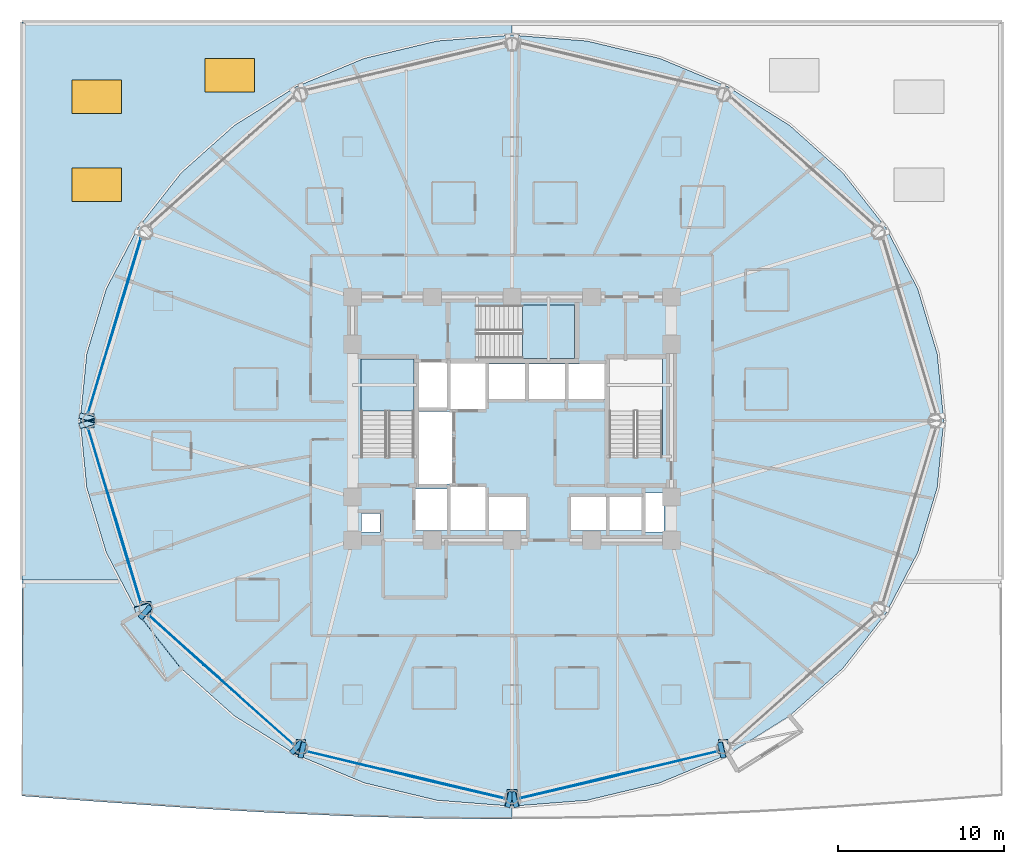
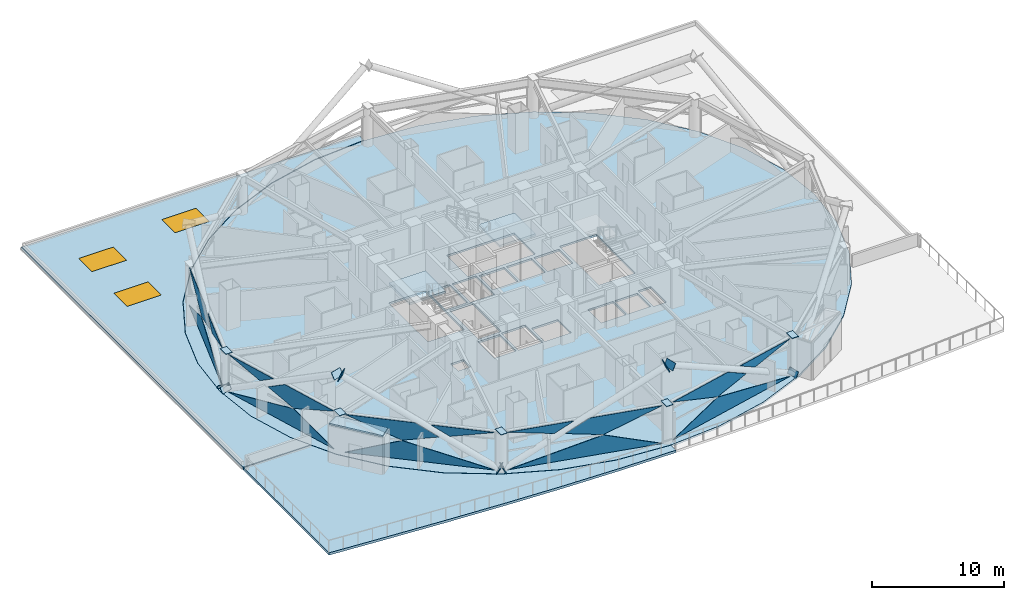
# One storey, part 17 of 27: 29 plates, 6 slabs, 3 windows, 3 openings, 7 elements without a shape of their own.
"""IFC4 building model written with IfcOpenShell, lengths in metres."""

from ifc_helpers import new_model, si_unit, direction, frame, origin, origin_2d, place, context, subcontext, project, spatial, polyline, rectangle, outline, extrude, material, layer, layer_set, type_object, element, fill, aggregate, save


model = new_model("IFC4")

# Units and contexts
model_context = context("Model", 3, precision=1e-05, world=origin(), true_north=direction((0.0, 1.0)))
body_context = subcontext(model_context, "Body", "Model", "MODEL_VIEW")
ifc_project = project(units=[si_unit("LENGTHUNIT", "METRE"), si_unit("AREAUNIT", "SQUARE_METRE"), si_unit("VOLUMEUNIT", "CUBIC_METRE"), si_unit("PLANEANGLEUNIT", "RADIAN"), si_unit("MASSUNIT", "GRAM", prefix="KILO")], contexts=[model_context])

# Site, building, storey
site_placement = place(None, origin())
site = spatial("IfcSite", under=ifc_project, at=site_placement, CompositionType="ELEMENT")
building_placement = place(site_placement, origin())
building = spatial("IfcBuilding", under=site, at=building_placement, Name="Vantalir Tower", CompositionType="ELEMENT")
storey_placement = place(building_placement, frame((0.0, 0.0, 27.0)))
storey = spatial("IfcBuildingStorey", under=building, at=storey_placement, Name="L05", CompositionType="ELEMENT", Elevation=27.0)

# Curtain wall, plates
ifc_material_1 = material(Name="Champagne-silver PVDF aluminium and double-silver Low-E glass", Category="aluminium")
ifc_layer_1 = layer(ifc_material_1, 0.18994140625)
ifc_layer_set_1 = layer_set([ifc_layer_1], Name="Champagne-silver PVDF aluminium and double-silver Low-E glass")
curtain_wall_type = type_object("IfcCurtainWallType", Name="CW-DIAMOND-Z1", PredefinedType="USERDEFINED", material=ifc_layer_set_1)
curtain_wall_1_placement = place(storey_placement, origin())
curtain_wall_1 = element("IfcCurtainWall", 1, at=curtain_wall_1_placement, inside=storey, type_object=curtain_wall_type, Name="L05 Quilted Pyramid-Diamond Curtain Wall S06", ObjectType="UNITISED CURTAIN WALL", PredefinedType="USERDEFINED")
ifc_material_2 = material(Name="Double-silver Low-E laminated glass IGU", Category="glass")
ifc_layer_2 = layer(ifc_material_2, 0.028076171875)
ifc_layer_set_2 = layer_set([ifc_layer_2], Name="Double-silver Low-E laminated glass IGU")
plate_type_1 = type_object("IfcPlateType", Name="CWP-IGU-28", PredefinedType="CURTAIN_PANEL", material=ifc_layer_set_2)
plate_1_placement = place(storey_placement, frame((9.1552734375, 35.962646484375, 0.046630859375), z_axis=(0.957578880535, -0.287846289434, 0.013682149448), x_axis=(-0.287872943892, -0.957668610574, -2.2270845e-05)))
plate_1 = element("IfcPlate", 2, at=plate_1_placement, type_object=plate_type_1, Name="CW-L05-S06 Pyramid Diamond Facet 1L", PredefinedType="CURTAIN_PANEL", context=body_context, shape_type="SweptSolid", body=[
    extrude(outline(polyline([(0.0, 0.0), (10.962342191971807, 4.960224939121183e-18), (4.17112620356803, -1.7265728701411234), (0.0, 0.0)])), origin(), (0.0, 0.0, -1.0), 0.028076171875),
])
plate_2_placement = place(storey_placement, frame((9.1552734375, 35.962646484375, 3.523193359375), z_axis=(-0.957579635004, 0.287842392017, 0.013711308631), x_axis=(-0.287868827182, -0.957669847112, 4.763173e-05)))
plate_2 = element("IfcPlate", 3, at=plate_2_placement, type_object=plate_type_1, Name="CW-L05-S06 Pyramid Diamond Facet 2U", PredefinedType="CURTAIN_PANEL", context=body_context, shape_type="SweptSolid", body=[
    extrude(outline(polyline([(0.0, 0.0), (5.135338671007989, -2.087089182034596e-18), (6.8695566841862865, -1.0407082443429356), (4.171082317327955, -1.726678888191401), (0.0, 0.0)])), origin(), (0.0, 0.0, -1.0), 0.028076171875),
])
plate_3_placement = place(storey_placement, frame((7.31640625, 29.955810546875, 3.52392578125), z_axis=(-0.957571538398, 0.287860848653, 0.013888148308), x_axis=(-0.287888614065, -0.957663900276, 0.0)))
plate_3 = element("IfcPlate", 4, at=plate_3_placement, type_object=plate_type_1, Name="CW-L05-S06 Pyramid Diamond Facet 2U Infill Light", PredefinedType="CURTAIN_PANEL", context=body_context, shape_type="SweptSolid", body=[
    extrude(outline(polyline([(0.0, 0.0), (4.680324415573924, 0.0), (1.392877010997467, -0.8357739655805069), (0.0, 0.0)])), origin(), (0.0, 0.0, -1.0), 0.028076171875),
])
aggregate(curtain_wall_1, [plate_1, plate_2, plate_3])

curtain_wall_2_placement = place(storey_placement, origin())
curtain_wall_2 = element("IfcCurtainWall", 5, at=curtain_wall_2_placement, inside=storey, type_object=curtain_wall_type, Name="L05 Quilted Pyramid-Diamond Curtain Wall S07", ObjectType="UNITISED CURTAIN WALL", PredefinedType="USERDEFINED")
plate_4_placement = place(storey_placement, frame((5.99951171875, 24.53564453125, 0.04638671875), z_axis=(0.957578880535, 0.287846289434, 0.013682149448), x_axis=(0.287872943892, -0.957668610574, 2.2270845e-05)))
plate_4 = element("IfcPlate", 6, at=plate_4_placement, type_object=plate_type_1, Name="CW-L05-S07 Pyramid Diamond Facet 1L", PredefinedType="CURTAIN_PANEL", context=body_context, shape_type="SweptSolid", body=[
    extrude(outline(polyline([(0.0, 0.0), (10.962342191971807, -4.960224939121183e-18), (6.791215988403775, -1.7265728701411234), (0.0, 0.0)])), origin(), (0.0, 0.0, -1.0), 0.028076171875),
])
plate_5_placement = place(storey_placement, frame((7.677001953125, 18.955322265625, 3.5234375), z_axis=(-0.957579635004, -0.287842392017, 0.013711308631), x_axis=(0.287868827182, -0.957669847112, -4.763173e-05)))
plate_5 = element("IfcPlate", 7, at=plate_5_placement, type_object=plate_type_1, Name="CW-L05-S07 Pyramid Diamond Facet 2U", PredefinedType="CURTAIN_PANEL", context=body_context, shape_type="SweptSolid", body=[
    extrude(outline(polyline([(0.0, 0.0), (5.135338671007989, 2.087089182034596e-18), (0.9642563536800345, -1.7266788881914013), (-1.7342180131782967, -1.0407082443429359), (0.0, 0.0)])), origin(), (0.0, 0.0, -1.0), 0.028076171875),
])
plate_6_placement = place(storey_placement, frame((5.968994140625, 24.5263671875, 3.52392578125), z_axis=(-0.957571538398, -0.287860848653, 0.013888148308), x_axis=(0.287888614065, -0.957663900276, 0.0)))
plate_6 = element("IfcPlate", 8, at=plate_6_placement, type_object=plate_type_1, Name="CW-L05-S07 Pyramid Diamond Facet 2U Infill Light", PredefinedType="CURTAIN_PANEL", context=body_context, shape_type="SweptSolid", body=[
    extrude(outline(polyline([(0.0, 0.0), (4.680324415573924, 0.0), (3.2874474045764575, -0.8357739655805069), (0.0, 0.0)])), origin(), (0.0, 0.0, -1.0), 0.028076171875),
])
aggregate(curtain_wall_2, [plate_4, plate_5, plate_6])

curtain_wall_3_placement = place(storey_placement, origin())
curtain_wall_3 = element("IfcCurtainWall", 9, at=curtain_wall_3_placement, inside=storey, type_object=curtain_wall_type, Name="L05 Quilted Pyramid-Diamond Curtain Wall S08", ObjectType="UNITISED CURTAIN WALL", PredefinedType="USERDEFINED")
plate_7_placement = place(storey_placement, frame((9.656982421875, 13.250244140625, 0.046630859375), z_axis=(0.665308885605, 0.746444198425, 0.013606813458), x_axis=(0.746513498737, -0.66537026967, -2.1043369e-05)))
plate_7 = element("IfcPlate", 10, at=plate_7_placement, type_object=plate_type_1, Name="CW-L05-S08 Pyramid Diamond Facet 1L", PredefinedType="CURTAIN_PANEL", context=body_context, shape_type="SweptSolid", body=[
    extrude(outline(polyline([(0.0, 0.0), (11.601784410505761, 9.920449878242366e-18), (4.410452310106066, -1.726815174474904), (0.0, 0.0)])), origin(), (0.0, 0.0, -1.0), 0.028076171875),
])
plate_8_placement = place(storey_placement, frame((9.656982421875, 13.250244140625, 3.5234375), z_axis=(-0.665300054197, -0.746451395068, 0.013643778309), x_axis=(0.746520882122, -0.665361986107, 4.2522e-08)))
plate_8 = element("IfcPlate", 11, at=plate_8_placement, type_object=plate_type_1, Name="CW-L05-S08 Pyramid Diamond Facet 2U", PredefinedType="CURTAIN_PANEL", context=body_context, shape_type="SweptSolid", body=[
    extrude(outline(polyline([(0.0, 0.0), (5.444511912943742, 0.0), (7.270924794630395, -1.039892024901801), (4.410488309346775, -1.7269673439427227), (0.0, 0.0)])), origin(), (0.0, 0.0, -1.0), 0.028076171875),
])
plate_9_placement = place(storey_placement, frame((14.590087890625, 8.810546875, 3.52392578125), z_axis=(-0.665314594483, -0.746437516961, 0.013693927117), x_axis=(0.74650796131, -0.665376480862, 4.9170594e-05)))
plate_9 = element("IfcPlate", 12, at=plate_9_placement, type_object=plate_type_1, Name="CW-L05-S08 Pyramid Diamond Facet 2U Infill Light", PredefinedType="CURTAIN_PANEL", context=body_context, shape_type="SweptSolid", body=[
    extrude(outline(polyline([(0.0, 0.0), (4.96517540448994, -2.0599841277224584e-18), (1.4727353693832141, -0.8387741118368344), (0.0, 0.0)])), origin(), (0.0, 0.0, -1.0), 0.028076171875),
])
aggregate(curtain_wall_3, [plate_7, plate_8, plate_9])

curtain_wall_4_placement = place(storey_placement, origin())
curtain_wall_4 = element("IfcCurtainWall", 13, at=curtain_wall_4_placement, inside=storey, type_object=curtain_wall_type, Name="L05 Quilted Pyramid-Diamond Curtain Wall S09", ObjectType="UNITISED CURTAIN WALL", PredefinedType="USERDEFINED")
plate_10_placement = place(storey_placement, frame((19.151611328125, 5.09521484375, 0.04638671875), z_axis=(0.232286508823, 0.972549752748, 0.013782461632), x_axis=(0.972642072645, -0.232308842109, 1.9993876e-05)))
plate_10 = element("IfcPlate", 14, at=plate_10_placement, type_object=plate_type_1, Name="CW-L05-S09 Pyramid Diamond Facet 1L", PredefinedType="CURTAIN_PANEL", context=body_context, shape_type="SweptSolid", body=[
    extrude(outline(polyline([(0.0, 0.0), (12.210770352635775, -5.963111948670274e-19), (7.564815878873884, -1.727063572655862), (0.0, 0.0)])), origin(), (0.0, 0.0, -1.0), 0.028076171875),
])
plate_11_placement = place(storey_placement, frame((25.4462890625, 3.591796875, 3.523681640625), z_axis=(-0.232308646803, -0.972544532934, 0.013777665997), x_axis=(0.972636716061, -0.232331265187, -4.2274794e-05)))
plate_11 = element("IfcPlate", 15, at=plate_11_placement, type_object=plate_type_1, Name="CW-L05-S09 Pyramid Diamond Facet 2U", PredefinedType="CURTAIN_PANEL", context=body_context, shape_type="SweptSolid", body=[
    extrude(outline(polyline([(0.0, 0.0), (5.7390446673520765, -3.2526065174565133e-18), (1.0931292319646315, -1.727412671648198), (-1.9152714694807467, -1.0404614050661767), (0.0, 0.0)])), origin(), (0.0, 0.0, -1.0), 0.028076171875),
])
plate_12_placement = place(storey_placement, frame((19.144287109375, 5.064208984375, 3.524169921875), z_axis=(-0.232286516402, -0.972548160926, 0.013894206598), x_axis=(0.972641897683, -0.232309570827, -4.6620424e-05)))
plate_12 = element("IfcPlate", 16, at=plate_12_placement, type_object=plate_type_1, Name="CW-L05-S09 Pyramid Diamond Facet 2U Infill Light", PredefinedType="CURTAIN_PANEL", context=body_context, shape_type="SweptSolid", body=[
    extrude(outline(polyline([(0.0, 0.0), (5.236774059915836, 9.75781955236954e-19), (3.6871237904550966, -0.8417062298265489), (0.0, 0.0)])), origin(), (0.0, 0.0, -1.0), 0.028076171875),
])
aggregate(curtain_wall_4, [plate_10, plate_11, plate_12])

curtain_wall_5_placement = place(storey_placement, origin())
curtain_wall_5 = element("IfcCurtainWall", 17, at=curtain_wall_5_placement, inside=storey, type_object=curtain_wall_type, Name="L05 Quilted Pyramid-Diamond Curtain Wall S10", ObjectType="UNITISED CURTAIN WALL", PredefinedType="USERDEFINED")
plate_13_placement = place(storey_placement, frame((31.9716796875, 2.258544921875, 0.046630859375), z_axis=(-0.232286508823, 0.972549752748, 0.013782461632), x_axis=(0.972642072645, 0.232308842109, -1.9993876e-05)))
plate_13 = element("IfcPlate", 18, at=plate_13_placement, type_object=plate_type_1, Name="CW-L05-S10 Pyramid Diamond Facet 1L", PredefinedType="CURTAIN_PANEL", context=body_context, shape_type="SweptSolid", body=[
    extrude(outline(polyline([(0.0, 0.0), (12.210770352635775, 5.963111948670274e-19), (4.645954473761892, -1.7270635726558619), (0.0, 0.0)])), origin(), (0.0, 0.0, -1.0), 0.028076171875),
])
plate_14_placement = place(storey_placement, frame((31.9716796875, 2.258544921875, 3.5234375), z_axis=(0.232308646803, -0.972544532934, 0.013777665997), x_axis=(0.972636716061, 0.232331265187, 4.2274794e-05)))
plate_14 = element("IfcPlate", 19, at=plate_14_placement, type_object=plate_type_1, Name="CW-L05-S10 Pyramid Diamond Facet 2U", PredefinedType="CURTAIN_PANEL", context=body_context, shape_type="SweptSolid", body=[
    extrude(outline(polyline([(0.0, 0.0), (5.7390446673520765, 3.2526065174565133e-18), (7.654316136832822, -1.040461405066177), (4.645915435387444, -1.727412671648198), (0.0, 0.0)])), origin(), (0.0, 0.0, -1.0), 0.028076171875),
])
plate_15_placement = place(storey_placement, frame((38.76220703125, 3.84765625, 3.52392578125), z_axis=(0.232286516402, -0.972548160926, 0.013894206598), x_axis=(0.972641897683, 0.232309570827, 4.6620424e-05)))
plate_15 = element("IfcPlate", 20, at=plate_15_placement, type_object=plate_type_1, Name="CW-L05-S10 Pyramid Diamond Facet 2U Infill Light", PredefinedType="CURTAIN_PANEL", context=body_context, shape_type="SweptSolid", body=[
    extrude(outline(polyline([(0.0, 0.0), (5.236774059915836, -9.75781955236954e-19), (1.5496502694607401, -0.8417062298265489), (0.0, 0.0)])), origin(), (0.0, 0.0, -1.0), 0.028076171875),
])
aggregate(curtain_wall_5, [plate_13, plate_14, plate_15])

# Plates
ifc_material_3 = material(Name="Steel S460", Category="steel")
ifc_layer_3 = layer(ifc_material_3, 0.0400390625)
ifc_layer_set_3 = layer_set([ifc_layer_3], Name="Steel S460")
plate_type_2 = type_object("IfcPlateType", Name="PLT-KN-Z1", PredefinedType="USERDEFINED", material=ifc_layer_set_3)
plate_16_placement = place(storey_placement, frame((5.50732421875, 24.523193359375, -0.068603515625), z_axis=(0.246946517309, -0.821171551533, 0.514484888545), x_axis=(0.957625698996, 0.28801565526, 5.4289726e-05)))
element("IfcPlate", 21, at=plate_16_placement, inside=storey, type_object=plate_type_2, Name="Node Cap Plate MEM-DG-L05-R19L Start", ObjectType="FLANGE_PLATE", PredefinedType="USERDEFINED", context=body_context, shape_type="SweptSolid", body=[
    extrude(outline(polyline([(0.0, 0.0), (0.9499460214858269, 0.0), (0.9500335617520865, 0.6200432057309483), (0.00015785658834470594, 0.6201634866255669), (0.0, 0.0)])), origin(), (0.0, 0.0, -1.0), 0.0400390625),
])
plate_17_placement = place(storey_placement, frame((8.839599609375, 13.43798828125, 6.87744140625), z_axis=(0.246831821712, -0.821266771081, 0.51438792998), x_axis=(0.957683979349, 0.287821811947, -1.6312792e-05)))
element("IfcPlate", 22, at=plate_17_placement, inside=storey, type_object=plate_type_2, Name="Node Cap Plate MEM-DG-L05-R19L End", ObjectType="FLANGE_PLATE", PredefinedType="USERDEFINED", context=body_context, shape_type="SweptSolid", body=[
    extrude(outline(polyline([(0.0, 0.0), (0.9501095264682091, 0.0), (0.9498611615437194, 0.620079361363619), (-1.4555359219141373e-05, 0.6200432191104704), (0.0, 0.0)])), origin(), (0.0, 0.0, -1.0), 0.0400390625),
])
plate_18_placement = place(storey_placement, frame((6.4169921875, 25.203125, -0.068603515625), z_axis=(0.246946517309, 0.821171551533, 0.514484888545), x_axis=(-0.957625698996, 0.28801565526, -5.4289726e-05)))
element("IfcPlate", 23, at=plate_18_placement, inside=storey, type_object=plate_type_2, Name="Node Cap Plate MEM-DG-L05-R19R Start", ObjectType="FLANGE_PLATE", PredefinedType="USERDEFINED", context=body_context, shape_type="SweptSolid", body=[
    extrude(outline(polyline([(0.0, 0.0), (0.9499460214858269, 0.0), (0.9497881648974823, 0.6201634866255669), (-8.754026625965204e-05, 0.6200432057309483), (0.0, 0.0)])), origin(), (0.0, 0.0, -1.0), 0.0400390625),
])
plate_19_placement = place(storey_placement, frame((18.908447265625, 4.6650390625, -0.08349609375), z_axis=(0.854627438222, -0.204117094889, 0.477439162), x_axis=(0.232303709897, 0.972643298629, 0.0)))
element("IfcPlate", 24, at=plate_19_placement, inside=storey, type_object=plate_type_2, Name="Node Cap Plate MEM-DG-L05-R25L Start", ObjectType="FLANGE_PLATE", PredefinedType="USERDEFINED", context=body_context, shape_type="SweptSolid", body=[
    extrude(outline(polyline([(0.0, 0.0), (0.9500628513325243, 0.0), (0.9501603455328829, 0.6198925105355855), (9.749420035846945e-05, 0.6198925105355855), (0.0, 0.0)])), origin(), (0.0, 0.0, -1.0), 0.0400390625),
])
plate_20_placement = place(storey_placement, frame((31.372802734375, 1.68798828125, 6.8779296875), z_axis=(0.854640010418, -0.204147065509, 0.477403841875), x_axis=(0.232326127317, 0.972637944154, 1.2522377e-05)))
element("IfcPlate", 25, at=plate_20_placement, inside=storey, type_object=plate_type_2, Name="Node Cap Plate MEM-DG-L05-R25L End", ObjectType="FLANGE_PLATE", PredefinedType="USERDEFINED", context=body_context, shape_type="SweptSolid", body=[
    extrude(outline(polyline([(0.0, 0.0), (0.9500628510056929, 0.0), (0.949922884116837, 0.6198654341842835), (9.749354672877903e-05, 0.619892510034778), (0.0, 0.0)])), origin(), (0.0, 0.0, -1.0), 0.0400390625),
])
plate_21_placement = place(storey_placement, frame((18.733642578125, 5.79638671875, -0.07666015625), z_axis=(-0.648679774777, 0.578217227371, 0.494852895078), x_axis=(-0.665415735381, -0.746472971886, -3.6773048e-05)))
element("IfcPlate", 26, at=plate_21_placement, inside=storey, type_object=plate_type_2, Name="Node Cap Plate MEM-DG-L05-R25R Start", ObjectType="FLANGE_PLATE", PredefinedType="USERDEFINED", context=body_context, shape_type="SweptSolid", body=[
    extrude(outline(polyline([(0.0, 0.0), (0.94983370343164, 5.551115123125783e-17), (0.9499696310599176, 0.6201009243701173), (-4.631674962413417e-05, 0.6200205272126428), (0.0, 0.0)])), origin(), (0.0, 0.0, -1.0), 0.0400390625),
])
plate_22_placement = place(storey_placement, frame((9.618408203125, 13.9208984375, 6.877685546875), z_axis=(-0.648699267764, 0.578135078913, 0.494923317831), x_axis=(-0.665336277327, -0.746543795147, 0.0)))
element("IfcPlate", 27, at=plate_22_placement, inside=storey, type_object=plate_type_2, Name="Node Cap Plate MEM-DG-L05-R25R End", ObjectType="FLANGE_PLATE", PredefinedType="USERDEFINED", context=body_context, shape_type="SweptSolid", body=[
    extrude(outline(polyline([(0.0, 0.0), (0.9500159538334854, 0.0), (0.9500221024199006, 0.6198083784179331), (6.148586415233304e-06, 0.6198083784179331), (0.0, 0.0)])), origin(), (0.0, 0.0, -1.0), 0.0400390625),
])
plate_23_placement = place(storey_placement, frame((43.870849609375, 5.589111328125, -0.08349609375), z_axis=(-0.854627438222, -0.204117094889, 0.477439162), x_axis=(0.232303709897, -0.972643298629, 0.0)))
element("IfcPlate", 28, at=plate_23_placement, inside=storey, type_object=plate_type_2, Name="Node Cap Plate MEM-DG-L05-R31R Start", ObjectType="FLANGE_PLATE", PredefinedType="USERDEFINED", context=body_context, shape_type="SweptSolid", body=[
    extrude(outline(polyline([(0.0, 0.0), (0.9500628513325243, 0.0), (0.9499653571321658, 0.6198925105355855), (-9.749420035846945e-05, 0.6198925105355855), (0.0, 0.0)])), origin(), (0.0, 0.0, -1.0), 0.0400390625),
])
plate_24_placement = place(storey_placement, frame((31.406494140625, 2.612060546875, 6.8779296875), z_axis=(-0.854640010418, -0.204147065509, 0.477403841875), x_axis=(0.232326127317, -0.972637944154, -1.2522377e-05)))
element("IfcPlate", 29, at=plate_24_placement, inside=storey, type_object=plate_type_2, Name="Node Cap Plate MEM-DG-L05-R31R End", ObjectType="FLANGE_PLATE", PredefinedType="USERDEFINED", context=body_context, shape_type="SweptSolid", body=[
    extrude(outline(polyline([(0.0, 0.0), (0.9500628510056929, 0.0), (0.949965357458964, 0.619892510034778), (0.00013996688885579818, 0.6198654341842835), (0.0, 0.0)])), origin(), (0.0, 0.0, -1.0), 0.0400390625),
])
ifc_layer_4 = layer(ifc_material_3, 0.035888671875)
ifc_layer_set_4 = layer_set([ifc_layer_4], Name="Steel S460")
plate_type_3 = type_object("IfcPlateType", Name="PLT-KN-Z2", PredefinedType="USERDEFINED", material=ifc_layer_set_4)
for number, where, z_axis, x_axis, name in (
    (30, (5.760009765625, 25.43994140625, 3.597900390625), (0.0, 0.0, 1.0), (0.0, -1.0, 0.0), "L05 Ring Column Top Cap RC07"),
    (31, (9.169921875, 14.10791015625, 3.597900390625), (0.0, 0.0, 1.0), (0.0, -1.0, 0.0), "L05 Ring Column Top Cap RC08"),
):
    element("IfcPlate", number, at=place(storey_placement, frame(where, z_axis=z_axis, x_axis=x_axis)), inside=storey, type_object=plate_type_3, Name=name, ObjectType="FLANGE_PLATE", PredefinedType="USERDEFINED", context=body_context, shape_type="SweptSolid", body=[
        extrude(outline(polyline([(0.0, 0.0), (0.8798828125, 0.0), (0.8798828125, 0.580078125), (0.0, 0.580078125), (0.0, 0.0)])), origin(), (0.0, 0.0, -1.0), 0.035888671875),
    ])
plate_25_placement = place(storey_placement, frame((18.485107421875, 5.81201171875, 3.597900390625), z_axis=(0.0, 0.0, 1.0), x_axis=(0.0, -1.0, 0.0)))
element("IfcPlate", 32, at=plate_25_placement, inside=storey, type_object=plate_type_3, Name="L05 Ring Column Top Cap RC09", ObjectType="FLANGE_PLATE", PredefinedType="USERDEFINED", context=body_context, shape_type="SweptSolid", body=[
    extrude(outline(polyline([(0.0, 0.0), (0.880126953125, 0.0), (0.880126953125, 0.579833984375), (0.0, 0.579833984375), (0.0, 0.0)])), origin(), (0.0, 0.0, -1.0), 0.035888671875),
])
plate_26_placement = place(storey_placement, frame((31.2099609375, 2.77587890625, 3.597900390625), z_axis=(0.0, 0.0, 1.0), x_axis=(0.0, -1.0, 0.0)))
element("IfcPlate", 33, at=plate_26_placement, inside=storey, type_object=plate_type_3, Name="L05 Ring Column Top Cap RC10", ObjectType="FLANGE_PLATE", PredefinedType="USERDEFINED", context=body_context, shape_type="SweptSolid", body=[
    extrude(outline(polyline([(0.0, 0.0), (0.8798828125, 0.0), (0.8798828125, 0.580078125), (0.0, 0.580078125), (0.0, 0.0)])), origin(), (0.0, 0.0, -1.0), 0.035888671875),
])
plate_27_placement = place(storey_placement, frame((43.93505859375, 5.81201171875, 3.597900390625), z_axis=(0.0, 0.0, 1.0), x_axis=(0.0, -1.0, 0.0)))
element("IfcPlate", 34, at=plate_27_placement, inside=storey, type_object=plate_type_3, Name="L05 Ring Column Top Cap RC11", ObjectType="FLANGE_PLATE", PredefinedType="USERDEFINED", context=body_context, shape_type="SweptSolid", body=[
    extrude(outline(polyline([(0.0, 0.0), (0.880126953125, 0.0), (0.880126953125, 0.579833984375), (0.0, 0.579833984375), (0.0, 0.0)])), origin(), (0.0, 0.0, -1.0), 0.035888671875),
])

# Slab
ifc_material_4 = material(Name="Champagne-silver aluminium and Concrete C40/50 canopy", Category="concrete")
ifc_layer_5 = layer(ifc_material_4, 0.14990234375)
ifc_layer_set_5 = layer_set([ifc_layer_5], Name="Champagne-silver aluminium and Concrete C40/50 canopy")
slab_type_1 = type_object("IfcSlabType", Name="SL-KAKILIMA-CANOPY-150", PredefinedType="ROOF", material=ifc_layer_set_5)
slab_1_placement = place(storey_placement, frame((0.0, 0.0, 3.419921875)))
element("IfcSlab", 35, at=slab_1_placement, inside=storey, type_object=slab_type_1, Name="L05 Podium Vestibule Canopy Cap SW", PredefinedType="ROOF", context=body_context, shape_type="SweptSolid", body=[
    extrude(outline(polyline([(11.56689453125, 10.06591796875), (8.966064453125, 13.382080078125), (8.966064453125, 13.383056640625), (7.987060546875, 12.818115234375), (10.701904296875, 9.339111328125), (11.56689453125, 10.06591796875)])), origin(), (0.0, 0.0, 1.0), 0.150146484375),
])

# Stair, slab
ifc_material_5 = material(Name="Concrete C40/50", Category="concrete")
stair_type = type_object("IfcStairType", Name="STR-CORE-1450", PredefinedType="HALF_TURN_STAIR", material=ifc_material_5)
stair_1_placement = place(storey_placement, origin())
stair_1 = element("IfcStair", 36, at=stair_1_placement, inside=storey, type_object=stair_type, Name="L05 Core Exit Stair 1", PredefinedType="HALF_TURN_STAIR")
ifc_layer_6 = layer(ifc_material_5, 0.199951171875)
ifc_layer_set_6 = layer_set([ifc_layer_6], Name="Concrete C40/50")
slab_type_2 = type_object("IfcSlabType", Name="SL-LAND-200", PredefinedType="LANDING", material=ifc_layer_set_6)
slab_2_placement = place(storey_placement, frame((0.0, 0.0, 1.675048828125)))
slab_2 = element("IfcSlab", 37, at=slab_2_placement, type_object=slab_type_2, Name="ST1 landing 1", PredefinedType="LANDING", context=body_context, shape_type="SweptSolid", body=[
    extrude(outline(polyline([(25.60009765625, 25.590087890625), (25.60009765625, 28.699951171875), (22.39990234375, 28.699951171875), (22.39990234375, 25.590087890625), (25.60009765625, 25.590087890625)])), origin(), (0.0, 0.0, 1.0), 0.199951171875),
])
aggregate(stair_1, [slab_2])

stair_2_placement = place(storey_placement, origin())
stair_2 = element("IfcStair", 38, at=stair_2_placement, inside=storey, type_object=stair_type, Name="L05 Core Exit Stair 3", PredefinedType="HALF_TURN_STAIR")
slab_3_placement = place(storey_placement, frame((0.0, 0.0, 1.675048828125)))
slab_3 = element("IfcSlab", 39, at=slab_3_placement, type_object=slab_type_2, Name="ST3 landing 1", PredefinedType="LANDING", context=body_context, shape_type="SweptSolid", body=[
    extrude(outline(polyline([(32.139892578125, 28.75), (35.25, 28.75), (35.25, 31.949951171875), (32.139892578125, 31.949951171875), (32.139892578125, 28.75)])), origin(), (0.0, 0.0, 1.0), 0.199951171875),
])
aggregate(stair_2, [slab_3])

# Slab, openings, windows
ifc_material_6 = material(Name="Concrete C40/50 insulated podium roof", Category="concrete")
ifc_layer_7 = layer(ifc_material_6, 0.239990234375)
ifc_layer_set_7 = layer_set([ifc_layer_7], Name="Concrete C40/50 insulated podium roof")
slab_type_3 = type_object("IfcSlabType", Name="SL-POD-ROOF-240", PredefinedType="ROOF", material=ifc_layer_set_7)
slab_4_placement = place(storey_placement, frame((0.0, 0.0, -0.219970703125)))
slab_4 = element("IfcSlab", 40, at=slab_4_placement, inside=storey, type_object=slab_type_3, Name="L05 Podium Low Roof Wing NW", PredefinedType="ROOF", context=body_context, shape_type="SweptSolid", body=[
    extrude(outline(polyline([(2.0, 49.0), (2.0, 15.419921875), (7.907958984375, 15.419921875), (7.053955078125, 17.053955078125), (5.8798828125, 20.966064453125), (5.485107421875, 25.0), (5.8798828125, 29.033935546875), (7.053955078125, 32.946044921875), (8.969970703125, 36.614990234375), (11.572021484375, 39.931884765625), (14.779052734375, 42.794921875), (18.492919921875, 45.116943359375), (22.60205078125, 46.827880859375), (26.98291015625, 47.8759765625), (31.5, 48.22900390625), (31.5, 49.0), (2.0, 49.0)]), holes=[polyline([(5.00390625, 45.49609375), (7.99609375, 45.49609375), (7.99609375, 43.50390625), (5.00390625, 43.50390625), (5.00390625, 45.49609375)]), polyline([(5.00390625, 40.196044921875), (7.99609375, 40.196044921875), (7.99609375, 38.2041015625), (5.00390625, 38.2041015625), (5.00390625, 40.196044921875)]), polyline([(13.00390625, 46.7958984375), (15.99609375, 46.7958984375), (15.99609375, 44.803955078125), (13.00390625, 44.803955078125), (13.00390625, 46.7958984375)])]), origin(), (0.0, 0.0, 1.0), 0.239990234375),
])
opening_1_placement = place(slab_4_placement, frame((6.5, 44.5, -0.010009765625)))
opening_1 = element("IfcOpeningElement", 41, at=opening_1_placement, cuts=slab_4, Name="Opening SK-1", PredefinedType="OPENING", context=body_context, shape_type="SweptSolid", body=[
    extrude(rectangle(XDim=3.0, YDim=2.0, at=origin_2d()), origin(), (0.0, 0.0, 1.0), 0.260009765625),
])
opening_2_placement = place(slab_4_placement, frame((6.5, 39.199951171875, -0.010009765625)))
opening_2 = element("IfcOpeningElement", 42, at=opening_2_placement, cuts=slab_4, Name="Opening SK-1", PredefinedType="OPENING", context=body_context, shape_type="SweptSolid", body=[
    extrude(rectangle(XDim=3.0, YDim=2.0, at=origin_2d()), origin(), (0.0, 0.0, 1.0), 0.260009765625),
])
opening_3_placement = place(slab_4_placement, frame((14.5, 45.800048828125, -0.010009765625)))
opening_3 = element("IfcOpeningElement", 43, at=opening_3_placement, cuts=slab_4, Name="Opening SK-1", PredefinedType="OPENING", context=body_context, shape_type="SweptSolid", body=[
    extrude(rectangle(XDim=3.0, YDim=2.0, at=origin_2d()), origin(), (0.0, 0.0, 1.0), 0.260009765625),
])
ifc_material_7 = material(Name="Laminated solar-control double-glazed SKYLIGHT", Category="glass")
window_type = type_object("IfcWindowType", Name="WIN-SKYLIGHT-3000x2000", PartitioningType="SINGLE_PANEL", PredefinedType="SKYLIGHT", material=ifc_material_7)
window_1_placement = place(slab_4_placement, frame((6.5, 44.5, 0.18994140625)))
window_1 = element("IfcWindow", 44, at=window_1_placement, inside=storey, type_object=window_type, Name="L05 Podium Spa & Ballroom Foyer Skylight 01", OverallHeight=2.0, OverallWidth=3.0, PartitioningType="SINGLE_PANEL", PredefinedType="SKYLIGHT", context=body_context, shape_type="SweptSolid", body=[
    extrude(rectangle(XDim=3.0, YDim=2.0, at=origin_2d()), origin(), (0.0, 0.0, 1.0), 0.050048828125),
])
fill(opening_1, window_1)
window_2_placement = place(slab_4_placement, frame((6.5, 39.199951171875, 0.18994140625)))
window_2 = element("IfcWindow", 45, at=window_2_placement, inside=storey, type_object=window_type, Name="L05 Podium Spa & Ballroom Foyer Skylight 02", OverallHeight=2.0, OverallWidth=3.0, PartitioningType="SINGLE_PANEL", PredefinedType="SKYLIGHT", context=body_context, shape_type="SweptSolid", body=[
    extrude(rectangle(XDim=3.0, YDim=2.0, at=origin_2d()), origin(), (0.0, 0.0, 1.0), 0.050048828125),
])
fill(opening_2, window_2)
window_3_placement = place(slab_4_placement, frame((14.5, 45.800048828125, 0.18994140625)))
window_3 = element("IfcWindow", 46, at=window_3_placement, inside=storey, type_object=window_type, Name="L05 Podium Spa & Ballroom Foyer Skylight 03", OverallHeight=2.0, OverallWidth=3.0, PartitioningType="SINGLE_PANEL", PredefinedType="SKYLIGHT", context=body_context, shape_type="SweptSolid", body=[
    extrude(rectangle(XDim=3.0, YDim=2.0, at=origin_2d()), origin(), (0.0, 0.0, 1.0), 0.050048828125),
])
fill(opening_3, window_3)

# Slabs
ifc_material_8 = material(Name="Concrete C40/50 waterproofed terrace slab", Category="concrete")
ifc_layer_8 = layer(ifc_material_8, 0.219970703125)
ifc_layer_set_8 = layer_set([ifc_layer_8], Name="Concrete C40/50 waterproofed terrace slab")
slab_type_4 = type_object("IfcSlabType", Name="SL-TERR-EXT-220", PredefinedType="FLOOR", material=ifc_layer_set_8)
slab_5_placement = place(storey_placement, frame((0.0, 0.0, -0.219970703125)))
element("IfcSlab", 47, at=slab_5_placement, inside=storey, type_object=slab_type_4, Name="L05 Waterfront Podium Terrace Deck SW", PredefinedType="FLOOR", context=body_context, shape_type="SweptSolid", body=[
    extrude(outline(polyline([(31.5, 1.0), (31.5, 1.77099609375), (26.98291015625, 2.1240234375), (22.60205078125, 3.172119140625), (18.492919921875, 4.883056640625), (14.779052734375, 7.205078125), (11.572021484375, 10.068115234375), (8.969970703125, 13.385009765625), (7.927978515625, 15.3798828125), (2.0, 15.3798828125), (2.0, 2.39990234375), (6.9169921875, 2.0380859375), (11.8330078125, 1.699951171875), (16.75, 1.409912109375), (21.6669921875, 1.18798828125), (26.5830078125, 1.048095703125), (31.5, 1.0)])), origin(), (0.0, 0.0, 1.0), 0.219970703125),
])
ifc_layer_9 = layer(ifc_material_5, 0.179931640625)
ifc_layer_set_9 = layer_set([ifc_layer_9], Name="Concrete C40/50")
slab_type_5 = type_object("IfcSlabType", Name="SL-TWR-180", PredefinedType="FLOOR", material=ifc_layer_set_9)
slab_6_placement = place(storey_placement, frame((0.0, 0.0, -0.179931640625)))
element("IfcSlab", 48, at=slab_6_placement, inside=storey, type_object=slab_type_5, Name="L05 Primary Structural Slab", PredefinedType="FLOOR", context=body_context, shape_type="SweptSolid", body=[
    extrude(outline(polyline([(8.98291015625, 13.39306640625), (11.5830078125, 10.077880859375), (14.7880859375, 7.217041015625), (18.5, 4.89599609375), (22.60693359375, 3.18603515625), (26.985107421875, 2.138916015625), (31.5, 1.785888671875), (36.014892578125, 2.138916015625), (40.39306640625, 3.18603515625), (44.5, 4.89599609375), (48.2119140625, 7.217041015625), (51.4169921875, 10.077880859375), (54.01708984375, 13.39306640625), (55.931884765625, 17.06005859375), (57.10498046875, 20.968994140625), (57.5, 25.0), (57.10498046875, 29.031005859375), (55.931884765625, 32.93994140625), (54.01708984375, 36.60693359375), (51.4169921875, 39.922119140625), (48.2119140625, 42.782958984375), (44.5, 45.10400390625), (40.39306640625, 46.81396484375), (36.014892578125, 47.861083984375), (31.5, 48.214111328125), (26.985107421875, 47.861083984375), (22.60693359375, 46.81396484375), (18.5, 45.10400390625), (14.7880859375, 42.782958984375), (11.5830078125, 39.922119140625), (8.98291015625, 36.60693359375), (7.068115234375, 32.93994140625), (5.89501953125, 29.031005859375), (5.5, 25.0), (5.89501953125, 20.968994140625), (7.068115234375, 17.06005859375), (8.98291015625, 13.39306640625)]), holes=[polyline([(22.39990234375, 22.7900390625), (22.39990234375, 28.699951171875), (25.60009765625, 28.699951171875), (25.60009765625, 22.7900390625), (22.39990234375, 22.7900390625)]), polyline([(37.35009765625, 28.699951171875), (40.550048828125, 28.699951171875), (40.550048828125, 22.7900390625), (37.35009765625, 22.7900390625), (37.35009765625, 28.699951171875)]), polyline([(35.25, 28.75), (29.340087890625, 28.75), (29.340087890625, 31.949951171875), (35.25, 31.949951171875), (35.25, 28.75)]), polyline([(27.60009765625, 18.39990234375), (25.699951171875, 18.39990234375), (25.699951171875, 20.89990234375), (27.60009765625, 20.89990234375), (27.60009765625, 18.39990234375)]), polyline([(25.699951171875, 25.800048828125), (25.699951171875, 28.5), (27.60009765625, 28.5), (27.60009765625, 25.800048828125), (25.699951171875, 25.800048828125)]), polyline([(27.800048828125, 21.0), (29.89990234375, 21.0), (29.89990234375, 18.39990234375), (27.800048828125, 18.39990234375), (27.800048828125, 21.0)]), polyline([(29.89990234375, 28.5), (29.89990234375, 25.699951171875), (27.800048828125, 25.699951171875), (27.800048828125, 28.5), (29.89990234375, 28.5)]), polyline([(32.39990234375, 18.39990234375), (30.10009765625, 18.39990234375), (30.10009765625, 20.39990234375), (32.39990234375, 20.39990234375), (32.39990234375, 18.39990234375)]), polyline([(37.35009765625, 18.39990234375), (37.35009765625, 20.39990234375), (39.35009765625, 20.39990234375), (39.35009765625, 18.39990234375), (37.35009765625, 18.39990234375)]), polyline([(35.0, 20.39990234375), (37.199951171875, 20.39990234375), (37.199951171875, 18.39990234375), (35.0, 18.39990234375), (35.0, 20.39990234375)]), polyline([(32.300048828125, 28.39990234375), (32.300048828125, 26.300048828125), (30.10009765625, 26.300048828125), (30.10009765625, 28.39990234375), (32.300048828125, 28.39990234375)]), polyline([(34.699951171875, 26.300048828125), (32.5, 26.300048828125), (32.5, 28.39990234375), (34.699951171875, 28.39990234375), (34.699951171875, 26.300048828125)]), polyline([(34.89990234375, 26.300048828125), (34.89990234375, 28.39990234375), (37.10009765625, 28.39990234375), (37.10009765625, 26.300048828125), (34.89990234375, 26.300048828125)]), polyline([(25.889892578125, 25.56005859375), (27.89990234375, 25.56005859375), (27.89990234375, 21.199951171875), (25.889892578125, 21.199951171875), (25.889892578125, 25.56005859375)]), polyline([(23.550048828125, 19.39990234375), (23.550048828125, 18.300048828125), (22.449951171875, 18.300048828125), (22.449951171875, 19.39990234375), (23.550048828125, 19.39990234375)]), polyline([(40.64990234375, 18.300048828125), (39.550048828125, 18.300048828125), (39.550048828125, 20.64990234375), (40.64990234375, 20.64990234375), (40.64990234375, 18.300048828125)])]), origin(), (0.0, 0.0, 1.0), 0.179931640625),
])

save(model, "model.ifc")
